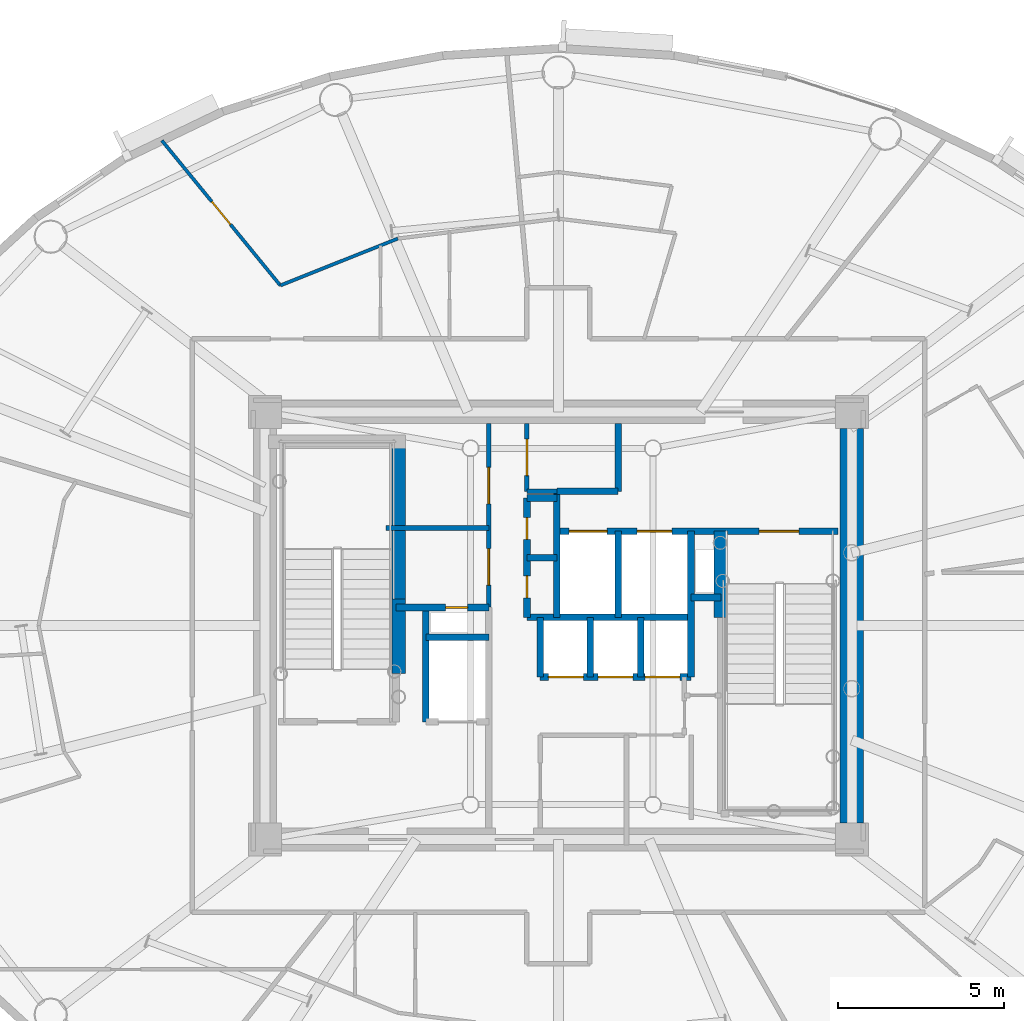
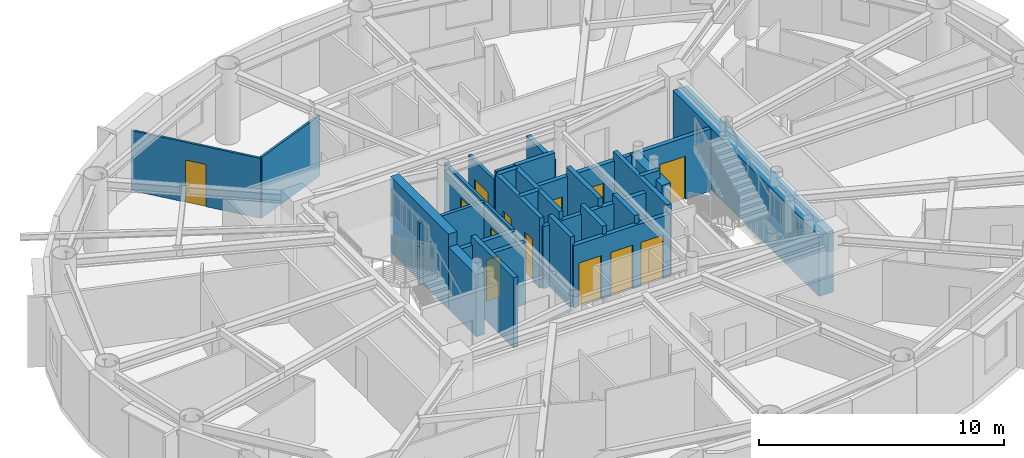
# One storey, part 9 of 18: 28 walls, 13 doors, 13 openings.
"""IFC4 building model written with IfcOpenShell, lengths in metres."""

from ifc_helpers import new_model, si_unit, direction, frame, frame_2d, origin, origin_2d, place, context, subcontext, project, spatial, rectangle, extrude, source, transform, mapped, material, layer, layer_set, type_object, element, fill, save


model = new_model("IFC4")

# Units and contexts
model_context = context("Model", 3, precision=1e-05, world=origin(), true_north=direction((0.0, 1.0)))
body_context = subcontext(model_context, "Body", "Model", "MODEL_VIEW")
ifc_project = project(units=[si_unit("LENGTHUNIT", "METRE"), si_unit("AREAUNIT", "SQUARE_METRE"), si_unit("VOLUMEUNIT", "CUBIC_METRE"), si_unit("PLANEANGLEUNIT", "RADIAN"), si_unit("MASSUNIT", "GRAM", prefix="KILO")], contexts=[model_context])

# Site, building, storey
site_placement = place(None, origin())
site = spatial("IfcSite", under=ifc_project, at=site_placement, CompositionType="ELEMENT")
building_placement = place(site_placement, origin())
building = spatial("IfcBuilding", under=site, at=building_placement, Name="Linh Dai School and Residence Tower", CompositionType="ELEMENT")
storey_placement = place(building_placement, frame((0.0, 0.0, 273.0)))
storey = spatial("IfcBuildingStorey", under=building, at=storey_placement, Name="L67", CompositionType="ELEMENT", Elevation=273.0)

# Wall, openings, doors
ifc_material_1 = material(Name="Autoclaved Aerated Concrete Blockwork", Category="masonry")
ifc_layer_1 = layer(ifc_material_1, 0.135009765625)
ifc_layer_set_1 = layer_set([ifc_layer_1], Name="Autoclaved Aerated Concrete Blockwork")
wall_type_1 = type_object("IfcWallType", Name="IW-CORR-135-EI90", PredefinedType="PARTITIONING", material=ifc_layer_set_1)
wall_1_placement = place(storey_placement, frame((33.89990234375, 27.56005859375, 0.0), z_axis=(0.0, 0.0, 1.0), x_axis=(0.0, 1.0, 0.0)))
wall_1 = element("IfcWall", 1, at=wall_1_placement, inside=storey, type_object=wall_type_1, Name="L67 Interior Partition Wall 032", PredefinedType="PARTITIONING", context=body_context, shape_type="SweptSolid", body=[
    extrude(rectangle(XDim=5.5400390625, YDim=0.135009765625, at=frame_2d((2.77001953125, 0.0))), origin(), (0.0, 0.0, 1.0), 3.0849609375),
])
opening_1_placement = place(wall_1_placement, frame((0.6650390625, 0.0, 0.0)))
opening_1 = element("IfcOpeningElement", 2, at=opening_1_placement, cuts=wall_1, Name="Opening D07", PredefinedType="OPENING", context=body_context, shape_type="SweptSolid", body=[
    extrude(rectangle(XDim=1.10009765625, YDim=2.14990234375, at=origin_2d()), frame((0.550048828125, 0.07763671875, 1.074951171875), z_axis=(0.0, -1.0, 0.0), x_axis=(1.0, 0.0, 0.0)), (0.0, 0.0, 1.0), 0.155029296875),
])
opening_2_placement = place(wall_1_placement, frame((3.117431640625, 0.0, 0.0)))
opening_2 = element("IfcOpeningElement", 3, at=opening_2_placement, cuts=wall_1, Name="Opening D07", PredefinedType="OPENING", context=body_context, shape_type="SweptSolid", body=[
    extrude(rectangle(XDim=1.10009765625, YDim=2.14990234375, at=origin_2d()), frame((0.550048828125, 0.07763671875, 1.074951171875), z_axis=(0.0, -1.0, 0.0), x_axis=(1.0, 0.0, 0.0)), (0.0, 0.0, 1.0), 0.155029296875),
])
ifc_material_2 = material(Name="Fire-Rated Louvred Steel Plant Door", Category="steel")
door_type_1 = type_object("IfcDoorType", Name="DR-PLT-1100x2150-FD60S", OperationType="NOTDEFINED", PredefinedType="DOOR", material=ifc_material_2)
shared_shape_1 = source(origin(), body_context, "Body", "SweptSolid", [
    extrude(rectangle(XDim=1.10009765625, YDim=2.14990234375, at=origin_2d()), frame((0.550048828125, 0.02490234375, 1.074951171875), z_axis=(0.0, -1.0, 0.0), x_axis=(1.0, 0.0, 0.0)), (0.0, 0.0, 1.0), 0.050048828125),
])
door_1_placement = place(opening_1_placement, origin())
door_1 = element("IfcDoor", 4, at=door_1_placement, inside=storey, type_object=door_type_1, Name="L67 BMS and Data Room Door", OperationType="SINGLE_SWING_LEFT", OverallHeight=2.14990234375, OverallWidth=1.10009765625, PredefinedType="DOOR", context=body_context, shape_type="MappedRepresentation", body=[
    mapped(shared_shape_1, transform((0.0, 0.0, 0.0), x_axis=(1.0, 0.0, 0.0), y_axis=(0.0, 1.0, 0.0), z_axis=(0.0, 0.0, 1.0), scale=1.0)),
])
fill(opening_1, door_1)
door_2_placement = place(opening_2_placement, origin())
door_2 = element("IfcDoor", 5, at=door_2_placement, inside=storey, type_object=door_type_1, Name="L67 Housekeeping Linen Room Door", OperationType="SINGLE_SWING_RIGHT", OverallHeight=2.14990234375, OverallWidth=1.10009765625, PredefinedType="DOOR", context=body_context, shape_type="MappedRepresentation", body=[
    mapped(shared_shape_1, transform((0.0, 0.0, 0.0), x_axis=(1.0, 0.0, 0.0), y_axis=(0.0, 1.0, 0.0), z_axis=(0.0, 0.0, 1.0), scale=1.0)),
])
fill(opening_2, door_2)

# Wall, opening, door
wall_2_placement = place(storey_placement, frame((35.050048828125, 31.050048828125, 0.0), z_axis=(0.0, 0.0, 1.0), x_axis=(0.0, 1.0, 0.0)))
wall_2 = element("IfcWall", 6, at=wall_2_placement, inside=storey, type_object=wall_type_1, Name="L67 Interior Partition Wall 042", PredefinedType="PARTITIONING", context=body_context, shape_type="SweptSolid", body=[
    extrude(rectangle(XDim=2.050048828125, YDim=0.135009765625, at=frame_2d((1.02490234375, 0.0))), origin(), (0.0, 0.0, 1.0), 3.0849609375),
])
opening_3_placement = place(wall_2_placement, frame((0.47509765625, 0.0, 0.0)))
opening_3 = element("IfcOpeningElement", 7, at=opening_3_placement, cuts=wall_2, Name="Opening D07", PredefinedType="OPENING", context=body_context, shape_type="SweptSolid", body=[
    extrude(rectangle(XDim=1.10009765625, YDim=2.14990234375, at=origin_2d()), frame((0.550048828125, 0.07763671875, 1.074951171875), z_axis=(0.0, -1.0, 0.0), x_axis=(1.0, 0.0, 0.0)), (0.0, 0.0, 1.0), 0.155029296875),
])
door_3_placement = place(opening_3_placement, origin())
door_3 = element("IfcDoor", 8, at=door_3_placement, inside=storey, type_object=door_type_1, Name="L67 North Telecom Switchroom Door", OperationType="SINGLE_SWING_LEFT", OverallHeight=2.14990234375, OverallWidth=1.10009765625, PredefinedType="DOOR", context=body_context, shape_type="MappedRepresentation", body=[
    mapped(shared_shape_1, transform((0.0, 0.0, 0.0), x_axis=(1.0, 0.0, 0.0), y_axis=(0.0, 1.0, 0.0), z_axis=(0.0, 0.0, 1.0), scale=1.0)),
])
fill(opening_3, door_3)

# Walls
wall_3_placement = place(storey_placement, frame((35.050048828125, 31.050048828125, 0.0), z_axis=(0.0, 0.0, 1.0), x_axis=(1.0, 0.0, 0.0)))
element("IfcWall", 9, at=wall_3_placement, inside=storey, type_object=wall_type_1, Name="L67 Interior Partition Wall 043", PredefinedType="PARTITIONING", context=body_context, shape_type="SweptSolid", body=[
    extrude(rectangle(XDim=0.89990234375, YDim=0.135009765625, at=frame_2d((0.449951171875, 0.0))), origin(), (0.0, 0.0, 1.0), 3.5),
])
ifc_layer_2 = layer(ifc_material_1, 0.14990234375)
ifc_layer_set_2 = layer_set([ifc_layer_2], Name="Autoclaved Aerated Concrete Blockwork")
wall_type_2 = type_object("IfcWallType", Name="IW-SCH-150-EI60", PredefinedType="PARTITIONING", material=ifc_layer_set_2)
wall_4_placement = place(storey_placement, frame((30.800048828125, 29.949951171875, 0.0), z_axis=(0.0, 0.0, 1.0), x_axis=(1.0, 0.0, 0.0)))
element("IfcWall", 10, at=wall_4_placement, inside=storey, type_object=wall_type_2, Name="L67 Interior Partition Wall 021", PredefinedType="PARTITIONING", context=body_context, shape_type="SweptSolid", body=[
    extrude(rectangle(XDim=3.099853515625, YDim=0.14990234375, at=frame_2d((1.5498046875, 0.0))), origin(), (0.0, 0.0, 1.0), 3.0849609375),
])

# Wall, opening, door
ifc_material_3 = material(Name="Concrete B45 (C35/45)", Category="concrete")
ifc_layer_3 = layer(ifc_material_3, 0.199951171875)
ifc_layer_set_3 = layer_set([ifc_layer_3], Name="Concrete B45 (C35/45)")
wall_type_3 = type_object("IfcWallType", Name="IW-SHAFT-200-EI120", PredefinedType="PARTITIONING", material=ifc_layer_set_3)
wall_5_placement = place(storey_placement, frame((31.10009765625, 27.550048828125, 0.0), z_axis=(0.0, 0.0, 1.0), x_axis=(1.0, 0.0, 0.0)))
wall_5 = element("IfcWall", 11, at=wall_5_placement, inside=storey, type_object=wall_type_3, Name="L67 Interior Partition Wall 023", PredefinedType="PARTITIONING", context=body_context, shape_type="SweptSolid", body=[
    extrude(rectangle(XDim=2.7998046875, YDim=0.199951171875, at=frame_2d((1.39990234375, 0.0))), origin(), (0.0, 0.0, 1.0), 3.0849609375),
])
opening_4_placement = place(wall_5_placement, frame((1.5, 0.0, 0.0)))
opening_4 = element("IfcOpeningElement", 12, at=opening_4_placement, cuts=wall_5, Name="Opening AD1", PredefinedType="OPENING", context=body_context, shape_type="SweptSolid", body=[
    extrude(rectangle(XDim=0.659912109375, YDim=2.050048828125, at=origin_2d()), frame((0.330078125, 0.10986328125, 1.02490234375), z_axis=(0.0, -1.0, 0.0), x_axis=(1.0, 0.0, 0.0)), (0.0, 0.0, 1.0), 0.219970703125),
])
ifc_material_4 = material(Name="Fire-Rated Steel Riser Access Door", Category="steel")
door_type_2 = type_object("IfcDoorType", Name="DR-ACC-660x2050-FD90S", OperationType="NOTDEFINED", PredefinedType="USERDEFINED", material=ifc_material_4)
shared_shape_2 = source(origin(), body_context, "Body", "SweptSolid", [
    extrude(rectangle(XDim=0.659912109375, YDim=2.050048828125, at=origin_2d()), frame((0.330078125, 0.02490234375, 1.02490234375), z_axis=(0.0, -1.0, 0.0), x_axis=(1.0, 0.0, 0.0)), (0.0, 0.0, 1.0), 0.050048828125),
])
door_4_placement = place(opening_4_placement, origin())
door_4 = element("IfcDoor", 13, at=door_4_placement, inside=storey, type_object=door_type_2, Name="L67 Main Electrical Riser Access Door", ObjectType="ACCESS DOOR", OperationType="SINGLE_SWING_RIGHT", OverallHeight=2.050048828125, OverallWidth=0.659912109375, PredefinedType="USERDEFINED", context=body_context, shape_type="MappedRepresentation", body=[
    mapped(shared_shape_2, transform((0.0, 0.0, 0.0), x_axis=(1.0, 0.0, 0.0), y_axis=(0.0, 1.0, 0.0), z_axis=(0.0, 0.0, 1.0), scale=1.0)),
])
fill(opening_4, door_4)

# Walls
wall_6_placement = place(storey_placement, frame((32.0, 24.10009765625, 0.0), z_axis=(0.0, 0.0, 1.0), x_axis=(0.0, 1.0, 0.0)))
element("IfcWall", 14, at=wall_6_placement, inside=storey, type_object=wall_type_3, Name="L67 Interior Partition Wall 027", PredefinedType="PARTITIONING", context=body_context, shape_type="SweptSolid", body=[
    extrude(rectangle(XDim=3.449951171875, YDim=0.199951171875, at=frame_2d((1.72509765625, 0.0))), origin(), (0.0, 0.0, 1.0), 3.5),
])
wall_7_placement = place(storey_placement, frame((32.0, 26.64990234375, 0.0), z_axis=(0.0, 0.0, 1.0), x_axis=(1.0, 0.0, 0.0)))
element("IfcWall", 15, at=wall_7_placement, inside=storey, type_object=wall_type_3, Name="L67 Interior Partition Wall 029", PredefinedType="PARTITIONING", context=body_context, shape_type="SweptSolid", body=[
    extrude(rectangle(XDim=1.89990234375, YDim=0.199951171875, at=frame_2d((0.949951171875, 0.0))), origin(), (0.0, 0.0, 1.0), 3.0849609375),
])

# Wall, openings, doors
wall_8_placement = place(storey_placement, frame((35.050048828125, 27.25, 0.0), z_axis=(0.0, 0.0, 1.0), x_axis=(0.0, 1.0, 0.0)))
wall_8 = element("IfcWall", 16, at=wall_8_placement, inside=storey, type_object=wall_type_3, Name="L67 Interior Partition Wall 038", PredefinedType="PARTITIONING", context=body_context, shape_type="SweptSolid", body=[
    extrude(rectangle(XDim=3.60009765625, YDim=0.199951171875, at=frame_2d((1.800048828125, 0.0))), origin(), (0.0, 0.0, 1.0), 3.5),
])
opening_5_placement = place(wall_8_placement, frame((0.590087890625, 0.0, 0.0)))
opening_5 = element("IfcOpeningElement", 17, at=opening_5_placement, cuts=wall_8, Name="Opening AD1", PredefinedType="OPENING", context=body_context, shape_type="SweptSolid", body=[
    extrude(rectangle(XDim=0.659912109375, YDim=2.050048828125, at=origin_2d()), frame((0.330078125, 0.10986328125, 1.02490234375), z_axis=(0.0, -1.0, 0.0), x_axis=(1.0, 0.0, 0.0)), (0.0, 0.0, 1.0), 0.219970703125),
])
opening_6_placement = place(wall_8_placement, frame((2.35009765625, 0.0, 0.0)))
opening_6 = element("IfcOpeningElement", 18, at=opening_6_placement, cuts=wall_8, Name="Opening AD1", PredefinedType="OPENING", context=body_context, shape_type="SweptSolid", body=[
    extrude(rectangle(XDim=0.659912109375, YDim=2.050048828125, at=origin_2d()), frame((0.330078125, 0.10986328125, 1.02490234375), z_axis=(0.0, -1.0, 0.0), x_axis=(1.0, 0.0, 0.0)), (0.0, 0.0, 1.0), 0.219970703125),
])
door_5_placement = place(opening_5_placement, origin())
door_5 = element("IfcDoor", 19, at=door_5_placement, inside=storey, type_object=door_type_2, Name="L67 Telecom and Data Riser Access Door", ObjectType="ACCESS DOOR", OperationType="SINGLE_SWING_LEFT", OverallHeight=2.050048828125, OverallWidth=0.659912109375, PredefinedType="USERDEFINED", context=body_context, shape_type="MappedRepresentation", body=[
    mapped(shared_shape_2, transform((0.0, 0.0, 0.0), x_axis=(1.0, 0.0, 0.0), y_axis=(0.0, 1.0, 0.0), z_axis=(0.0, 0.0, 1.0), scale=1.0)),
])
fill(opening_5, door_5)
door_6_placement = place(opening_6_placement, origin())
door_6 = element("IfcDoor", 20, at=door_6_placement, inside=storey, type_object=door_type_2, Name="L67 Mechanical and Plumbing Riser Access Door", ObjectType="ACCESS DOOR", OperationType="SINGLE_SWING_RIGHT", OverallHeight=2.050048828125, OverallWidth=0.659912109375, PredefinedType="USERDEFINED", context=body_context, shape_type="MappedRepresentation", body=[
    mapped(shared_shape_2, transform((0.0, 0.0, 0.0), x_axis=(1.0, 0.0, 0.0), y_axis=(0.0, 1.0, 0.0), z_axis=(0.0, 0.0, 1.0), scale=1.0)),
])
fill(opening_6, door_6)

# Walls
wall_9_placement = place(storey_placement, frame((35.050048828125, 27.25, 0.0), z_axis=(0.0, 0.0, 1.0), x_axis=(1.0, 0.0, 0.0)))
element("IfcWall", 21, at=wall_9_placement, inside=storey, type_object=wall_type_3, Name="L67 Interior Partition Wall 039", PredefinedType="PARTITIONING", context=body_context, shape_type="SweptSolid", body=[
    extrude(rectangle(XDim=4.949951171875, YDim=0.199951171875, at=frame_2d((2.47509765625, 0.0))), origin(), (0.0, 0.0, 1.0), 3.0849609375),
])
for number, where, z_axis, x_axis, name in (
    (22, (35.050048828125, 29.050048828125, 0.0), (0.0, 0.0, 1.0), (1.0, 0.0, 0.0), "L67 Interior Partition Wall 040"),
    (23, (35.050048828125, 30.85009765625, 0.0), (0.0, 0.0, 1.0), (1.0, 0.0, 0.0), "L67 Interior Partition Wall 041"),
):
    element("IfcWall", number, at=place(storey_placement, frame(where, z_axis=z_axis, x_axis=x_axis)), inside=storey, type_object=wall_type_3, Name=name, PredefinedType="PARTITIONING", context=body_context, shape_type="SweptSolid", body=[
        extrude(rectangle(XDim=0.89990234375, YDim=0.199951171875, at=frame_2d((0.449951171875, 0.0))), origin(), (0.0, 0.0, 1.0), 3.5),
    ])
wall_10_placement = place(storey_placement, frame((35.449951171875, 25.449951171875, 0.0), z_axis=(0.0, 0.0, 1.0), x_axis=(0.0, 1.0, 0.0)))
element("IfcWall", 24, at=wall_10_placement, inside=storey, type_object=wall_type_3, Name="L67 Interior Partition Wall 048", PredefinedType="PARTITIONING", context=body_context, shape_type="SweptSolid", body=[
    extrude(rectangle(XDim=1.800048828125, YDim=0.199951171875, at=frame_2d((0.89990234375, 0.0))), origin(), (0.0, 0.0, 1.0), 3.5),
])

# Wall, openings, doors
wall_11_placement = place(storey_placement, frame((35.449951171875, 25.449951171875, 0.0), z_axis=(0.0, 0.0, 1.0), x_axis=(1.0, 0.0, 0.0)))
wall_11 = element("IfcWall", 25, at=wall_11_placement, inside=storey, type_object=wall_type_3, Name="L67 Interior Partition Wall 049", PredefinedType="PARTITIONING", context=body_context, shape_type="SweptSolid", body=[
    extrude(rectangle(XDim=4.550048828125, YDim=0.199951171875, at=frame_2d((2.27490234375, 0.0))), origin(), (0.0, 0.0, 1.0), 3.0849609375),
])
opening_7_placement = place(wall_11_placement, frame((0.25, 0.0, 0.0)))
opening_7 = element("IfcOpeningElement", 26, at=opening_7_placement, cuts=wall_11, Name="Opening LD-PL7", PredefinedType="OPENING", context=body_context, shape_type="SweptSolid", body=[
    extrude(rectangle(XDim=1.050048828125, YDim=2.14990234375, at=origin_2d()), frame((0.52490234375, 0.10986328125, 1.074951171875), z_axis=(0.0, -1.0, 0.0), x_axis=(1.0, 0.0, 0.0)), (0.0, 0.0, 1.0), 0.219970703125),
])
opening_8_placement = place(wall_11_placement, frame((1.7451171875, 0.0, 0.0)))
opening_8 = element("IfcOpeningElement", 27, at=opening_8_placement, cuts=wall_11, Name="Opening LD-PL8", PredefinedType="OPENING", context=body_context, shape_type="SweptSolid", body=[
    extrude(rectangle(XDim=1.050048828125, YDim=2.14990234375, at=origin_2d()), frame((0.52490234375, 0.10986328125, 1.074951171875), z_axis=(0.0, -1.0, 0.0), x_axis=(1.0, 0.0, 0.0)), (0.0, 0.0, 1.0), 0.219970703125),
])
opening_9_placement = place(wall_11_placement, frame((3.1650390625, 0.0, 0.0)))
opening_9 = element("IfcOpeningElement", 28, at=opening_9_placement, cuts=wall_11, Name="Opening LD-PL9", PredefinedType="OPENING", context=body_context, shape_type="SweptSolid", body=[
    extrude(rectangle(XDim=1.050048828125, YDim=2.14990234375, at=origin_2d()), frame((0.52490234375, 0.10986328125, 1.074951171875), z_axis=(0.0, -1.0, 0.0), x_axis=(1.0, 0.0, 0.0)), (0.0, 0.0, 1.0), 0.219970703125),
])
ifc_material_5 = material(Name="Brushed Stainless Steel Lift Landing Door", Category="steel")
door_type_3 = type_object("IfcDoorType", Name="DR-LD-PASS-1050x2150", OperationType="DOUBLE_DOOR_SLIDING", PredefinedType="USERDEFINED", material=ifc_material_5)
shared_shape_3 = source(origin(), body_context, "Body", "SweptSolid", [
    extrude(rectangle(XDim=1.050048828125, YDim=2.14990234375, at=origin_2d()), frame((0.52490234375, 0.02490234375, 1.074951171875), z_axis=(0.0, -1.0, 0.0), x_axis=(1.0, 0.0, 0.0)), (0.0, 0.0, 1.0), 0.050048828125),
])
door_7_placement = place(opening_7_placement, origin())
door_7 = element("IfcDoor", 29, at=door_7_placement, inside=storey, type_object=door_type_3, Name="L67 Lift PL7 Sliding Landing Door", ObjectType="LANDING DOOR", OperationType="DOUBLE_DOOR_SLIDING", OverallHeight=2.14990234375, OverallWidth=1.050048828125, PredefinedType="USERDEFINED", context=body_context, shape_type="MappedRepresentation", body=[
    mapped(shared_shape_3, transform((0.0, 0.0, 0.0), x_axis=(1.0, 0.0, 0.0), y_axis=(0.0, 1.0, 0.0), z_axis=(0.0, 0.0, 1.0), scale=1.0)),
])
fill(opening_7, door_7)
door_8_placement = place(opening_8_placement, origin())
door_8 = element("IfcDoor", 30, at=door_8_placement, inside=storey, type_object=door_type_3, Name="L67 Lift PL8 Sliding Landing Door", ObjectType="LANDING DOOR", OperationType="DOUBLE_DOOR_SLIDING", OverallHeight=2.14990234375, OverallWidth=1.050048828125, PredefinedType="USERDEFINED", context=body_context, shape_type="MappedRepresentation", body=[
    mapped(shared_shape_3, transform((0.0, 0.0, 0.0), x_axis=(1.0, 0.0, 0.0), y_axis=(0.0, 1.0, 0.0), z_axis=(0.0, 0.0, 1.0), scale=1.0)),
])
fill(opening_8, door_8)
door_9_placement = place(opening_9_placement, origin())
door_9 = element("IfcDoor", 31, at=door_9_placement, inside=storey, type_object=door_type_3, Name="L67 Lift PL9 Sliding Landing Door", ObjectType="LANDING DOOR", OperationType="DOUBLE_DOOR_SLIDING", OverallHeight=2.14990234375, OverallWidth=1.050048828125, PredefinedType="USERDEFINED", context=body_context, shape_type="MappedRepresentation", body=[
    mapped(shared_shape_3, transform((0.0, 0.0, 0.0), x_axis=(1.0, 0.0, 0.0), y_axis=(0.0, 1.0, 0.0), z_axis=(0.0, 0.0, 1.0), scale=1.0)),
])
fill(opening_9, door_9)

# Wall
wall_12_placement = place(storey_placement, frame((35.949951171875, 27.25, 0.0), z_axis=(0.0, 0.0, 1.0), x_axis=(0.0, 1.0, 0.0)))
element("IfcWall", 32, at=wall_12_placement, inside=storey, type_object=wall_type_3, Name="L67 Interior Partition Wall 050", PredefinedType="PARTITIONING", context=body_context, shape_type="SweptSolid", body=[
    extrude(rectangle(XDim=3.800048828125, YDim=0.199951171875, at=frame_2d((1.89990234375, 0.0))), origin(), (0.0, 0.0, 1.0), 3.5),
])

# Wall, openings, doors
wall_13_placement = place(storey_placement, frame((35.949951171875, 29.85009765625, 0.0), z_axis=(0.0, 0.0, 1.0), x_axis=(1.0, 0.0, 0.0)))
wall_13 = element("IfcWall", 33, at=wall_13_placement, inside=storey, type_object=wall_type_3, Name="L67 Interior Partition Wall 051", PredefinedType="PARTITIONING", context=body_context, shape_type="SweptSolid", body=[
    extrude(rectangle(XDim=8.489990234375, YDim=0.199951171875, at=frame_2d((4.2451171875, 0.0))), origin(), (0.0, 0.0, 1.0), 3.0849609375),
])
opening_10_placement = place(wall_13_placement, frame((6.10009765625, 0.0, 0.0)))
opening_10 = element("IfcOpeningElement", 34, at=opening_10_placement, cuts=wall_13, Name="Opening D01", PredefinedType="OPENING", context=body_context, shape_type="SweptSolid", body=[
    extrude(rectangle(XDim=1.199951171875, YDim=2.14990234375, at=origin_2d()), frame((0.60009765625, 0.10986328125, 1.074951171875), z_axis=(0.0, -1.0, 0.0), x_axis=(1.0, 0.0, 0.0)), (0.0, 0.0, 1.0), 0.219970703125),
])
opening_11_placement = place(wall_13_placement, frame((0.3701171875, 0.0, 0.0)))
opening_11 = element("IfcOpeningElement", 35, at=opening_11_placement, cuts=wall_13, Name="Opening LD-FF1", PredefinedType="OPENING", context=body_context, shape_type="SweptSolid", body=[
    extrude(rectangle(XDim=1.14990234375, YDim=2.14990234375, at=origin_2d()), frame((0.574951171875, 0.10986328125, 1.074951171875), z_axis=(0.0, -1.0, 0.0), x_axis=(1.0, 0.0, 0.0)), (0.0, 0.0, 1.0), 0.219970703125),
])
opening_12_placement = place(wall_13_placement, frame((2.425048828125, 0.0, 0.0)))
opening_12 = element("IfcOpeningElement", 36, at=opening_12_placement, cuts=wall_13, Name="Opening LD-SV1", PredefinedType="OPENING", context=body_context, shape_type="SweptSolid", body=[
    extrude(rectangle(XDim=1.050048828125, YDim=2.14990234375, at=origin_2d()), frame((0.52490234375, 0.10986328125, 1.074951171875), z_axis=(0.0, -1.0, 0.0), x_axis=(1.0, 0.0, 0.0)), (0.0, 0.0, 1.0), 0.219970703125),
])
ifc_material_6 = material(Name="Fire-Rated Steel Door Leaf", Category="steel")
door_type_4 = type_object("IfcDoorType", Name="DR-STAIR-1200x2150-FD90S", OperationType="NOTDEFINED", PredefinedType="DOOR", material=ifc_material_6)
shared_shape_4 = source(origin(), body_context, "Body", "SweptSolid", [
    extrude(rectangle(XDim=1.199951171875, YDim=2.14990234375, at=origin_2d()), frame((0.60009765625, 0.02490234375, 1.074951171875), z_axis=(0.0, -1.0, 0.0), x_axis=(1.0, 0.0, 0.0)), (0.0, 0.0, 1.0), 0.050048828125),
])
door_10_placement = place(opening_10_placement, origin())
door_10 = element("IfcDoor", 37, at=door_10_placement, inside=storey, type_object=door_type_4, Name="L67 Core Smokeproof Exit Stair ST2 Door", OperationType="SINGLE_SWING_RIGHT", OverallHeight=2.14990234375, OverallWidth=1.199951171875, PredefinedType="DOOR", context=body_context, shape_type="MappedRepresentation", body=[
    mapped(shared_shape_4, transform((0.0, 0.0, 0.0), x_axis=(1.0, 0.0, 0.0), y_axis=(0.0, 1.0, 0.0), z_axis=(0.0, 0.0, 1.0), scale=1.0)),
])
fill(opening_10, door_10)
ifc_material_7 = material(Name="Fire-Rated Stainless Steel Firefighting Lift Door", Category="steel")
door_type_5 = type_object("IfcDoorType", Name="DR-LD-FF-1150x2150-FD120", OperationType="DOUBLE_DOOR_SLIDING", PredefinedType="USERDEFINED", material=ifc_material_7)
shared_shape_5 = source(origin(), body_context, "Body", "SweptSolid", [
    extrude(rectangle(XDim=1.14990234375, YDim=2.14990234375, at=origin_2d()), frame((0.574951171875, 0.02490234375, 1.074951171875), z_axis=(0.0, -1.0, 0.0), x_axis=(1.0, 0.0, 0.0)), (0.0, 0.0, 1.0), 0.050048828125),
])
door_11_placement = place(opening_11_placement, origin())
door_11 = element("IfcDoor", 38, at=door_11_placement, inside=storey, type_object=door_type_5, Name="L67 Lift FF1 Sliding Landing Door", ObjectType="LANDING DOOR", OperationType="DOUBLE_DOOR_SLIDING", OverallHeight=2.14990234375, OverallWidth=1.14990234375, PredefinedType="USERDEFINED", context=body_context, shape_type="MappedRepresentation", body=[
    mapped(shared_shape_5, transform((0.0, 0.0, 0.0), x_axis=(1.0, 0.0, 0.0), y_axis=(0.0, 1.0, 0.0), z_axis=(0.0, 0.0, 1.0), scale=1.0)),
])
fill(opening_11, door_11)
door_12_placement = place(opening_12_placement, origin())
door_12 = element("IfcDoor", 39, at=door_12_placement, inside=storey, type_object=door_type_3, Name="L67 Lift SV1 Sliding Landing Door", ObjectType="LANDING DOOR", OperationType="DOUBLE_DOOR_SLIDING", OverallHeight=2.14990234375, OverallWidth=1.050048828125, PredefinedType="USERDEFINED", context=body_context, shape_type="MappedRepresentation", body=[
    mapped(shared_shape_3, transform((0.0, 0.0, 0.0), x_axis=(1.0, 0.0, 0.0), y_axis=(0.0, 1.0, 0.0), z_axis=(0.0, 0.0, 1.0), scale=1.0)),
])
fill(opening_12, door_12)

# Walls
wall_14_placement = place(storey_placement, frame((35.9599609375, 31.050048828125, 0.0), z_axis=(0.0, 0.0, 1.0), x_axis=(1.0, 0.0, 0.0)))
element("IfcWall", 40, at=wall_14_placement, inside=storey, type_object=wall_type_3, Name="L67 Interior Partition Wall 052", PredefinedType="PARTITIONING", context=body_context, shape_type="SweptSolid", body=[
    extrude(rectangle(XDim=1.840087890625, YDim=0.199951171875, at=frame_2d((0.919921875, 0.0))), origin(), (0.0, 0.0, 1.0), 3.5),
])
wall_15_placement = place(storey_placement, frame((36.9599609375, 25.449951171875, 0.0), z_axis=(0.0, 0.0, 1.0), x_axis=(0.0, 1.0, 0.0)))
element("IfcWall", 41, at=wall_15_placement, inside=storey, type_object=wall_type_3, Name="L67 Interior Partition Wall 059", PredefinedType="PARTITIONING", context=body_context, shape_type="SweptSolid", body=[
    extrude(rectangle(XDim=1.800048828125, YDim=0.199951171875, at=frame_2d((0.89990234375, 0.0))), origin(), (0.0, 0.0, 1.0), 3.5),
])
wall_16_placement = place(storey_placement, frame((37.800048828125, 27.25, 0.0), z_axis=(0.0, 0.0, 1.0), x_axis=(0.0, 1.0, 0.0)))
element("IfcWall", 42, at=wall_16_placement, inside=storey, type_object=wall_type_3, Name="L67 Interior Partition Wall 060", PredefinedType="PARTITIONING", context=body_context, shape_type="SweptSolid", body=[
    extrude(rectangle(XDim=2.60009765625, YDim=0.199951171875, at=frame_2d((1.300048828125, 0.0))), origin(), (0.0, 0.0, 1.0), 3.5),
])
wall_17_placement = place(storey_placement, frame((37.800048828125, 31.050048828125, 0.0), z_axis=(0.0, 0.0, 1.0), x_axis=(0.0, 1.0, 0.0)))
element("IfcWall", 43, at=wall_17_placement, inside=storey, type_object=wall_type_3, Name="L67 Interior Partition Wall 061", PredefinedType="PARTITIONING", context=body_context, shape_type="SweptSolid", body=[
    extrude(rectangle(XDim=2.050048828125, YDim=0.199951171875, at=frame_2d((1.02490234375, 0.0))), origin(), (0.0, 0.0, 1.0), 3.0849609375),
])
wall_18_placement = place(storey_placement, frame((38.47998046875, 25.449951171875, 0.0), z_axis=(0.0, 0.0, 1.0), x_axis=(0.0, 1.0, 0.0)))
element("IfcWall", 44, at=wall_18_placement, inside=storey, type_object=wall_type_3, Name="L67 Interior Partition Wall 063", PredefinedType="PARTITIONING", context=body_context, shape_type="SweptSolid", body=[
    extrude(rectangle(XDim=1.800048828125, YDim=0.199951171875, at=frame_2d((0.89990234375, 0.0))), origin(), (0.0, 0.0, 1.0), 3.5),
])
wall_19_placement = place(storey_placement, frame((40.0, 25.449951171875, 0.0), z_axis=(0.0, 0.0, 1.0), x_axis=(0.0, 1.0, 0.0)))
element("IfcWall", 45, at=wall_19_placement, inside=storey, type_object=wall_type_3, Name="L67 Interior Partition Wall 069", PredefinedType="PARTITIONING", context=body_context, shape_type="SweptSolid", body=[
    extrude(rectangle(XDim=4.400146484375, YDim=0.199951171875, at=frame_2d((2.2001953125, 0.0))), origin(), (0.0, 0.0, 1.0), 3.5),
])
wall_20_placement = place(storey_placement, frame((40.0, 27.85009765625, 0.0), z_axis=(0.0, 0.0, 1.0), x_axis=(1.0, 0.0, 0.0)))
element("IfcWall", 46, at=wall_20_placement, inside=storey, type_object=wall_type_3, Name="L67 Interior Partition Wall 070", PredefinedType="PARTITIONING", context=body_context, shape_type="SweptSolid", body=[
    extrude(rectangle(XDim=0.89990234375, YDim=0.199951171875, at=frame_2d((0.449951171875, 0.0))), origin(), (0.0, 0.0, 1.0), 3.5),
])

# Wall, opening, door
ifc_material_8 = material(Name="Gypsum Plasterboard Acoustic Stud Partition", Category="masonry")
ifc_layer_4 = layer(ifc_material_8, 0.10009765625)
ifc_layer_set_4 = layer_set([ifc_layer_4], Name="Gypsum Plasterboard Acoustic Stud Partition")
wall_type_4 = type_object("IfcWallType", Name="IW-UNIT-100", PredefinedType="PARTITIONING", material=ifc_layer_set_4)
wall_21_placement = place(storey_placement, frame((24.037109375, 41.635009765625, 0.0), z_axis=(0.0, 0.0, 1.0), x_axis=(0.632896331295, -0.774236549017, 0.0)))
wall_21 = element("IfcWall", 47, at=wall_21_placement, inside=storey, type_object=wall_type_4, Name="L67 Interior Partition Wall 011", PredefinedType="PARTITIONING", context=body_context, shape_type="SweptSolid", body=[
    extrude(rectangle(XDim=5.646728515625, YDim=0.10009765625, at=frame_2d((2.8232421875, 0.0))), origin(), (0.0, 0.0, 1.0), 2.985107421875),
])
opening_13_placement = place(wall_21_placement, frame((2.373291015625, 0.0, 0.0)))
opening_13 = element("IfcOpeningElement", 48, at=opening_13_placement, cuts=wall_21, Name="Opening D05", PredefinedType="OPENING", context=body_context, shape_type="SweptSolid", body=[
    extrude(rectangle(XDim=0.89990234375, YDim=2.10009765625, at=origin_2d()), frame((0.449951171875, 0.06005859375, 1.050048828125), z_axis=(0.0, -1.0, 0.0), x_axis=(1.0, 0.0, 0.0)), (0.0, 0.0, 1.0), 0.1201171875),
])
ifc_material_9 = material(Name="Engineered Timber Internal Door", Category="wood")
door_type_6 = type_object("IfcDoorType", Name="DR-INT-900x2100", OperationType="NOTDEFINED", PredefinedType="DOOR", material=ifc_material_9)
shared_shape_6 = source(origin(), body_context, "Body", "SweptSolid", [
    extrude(rectangle(XDim=0.89990234375, YDim=2.10009765625, at=origin_2d()), frame((0.449951171875, 0.02490234375, 1.050048828125), z_axis=(0.0, -1.0, 0.0), x_axis=(1.0, 0.0, 0.0)), (0.0, 0.0, 1.0), 0.050048828125),
])
door_13_placement = place(opening_13_placement, origin())
door_13 = element("IfcDoor", 49, at=door_13_placement, inside=storey, type_object=door_type_6, Name="L67 Apartment U6703 Principal Bedroom 1 Door", OperationType="SINGLE_SWING_RIGHT", OverallHeight=2.10009765625, OverallWidth=0.89990234375, PredefinedType="DOOR", context=body_context, shape_type="MappedRepresentation", body=[
    mapped(shared_shape_6, transform((0.0, 0.0, 0.0), x_axis=(1.0, 0.0, 0.0), y_axis=(0.0, 1.0, 0.0), z_axis=(0.0, 0.0, 1.0), scale=1.0)),
])
fill(opening_13, door_13)

# Walls
wall_22_placement = place(storey_placement, frame((27.61083984375, 37.26318359375, 0.0), z_axis=(0.0, 0.0, 1.0), x_axis=(0.92879851462, 0.370585103911, 0.0)))
element("IfcWall", 50, at=wall_22_placement, inside=storey, type_object=wall_type_4, Name="L67 Interior Partition Wall 017", PredefinedType="PARTITIONING", context=body_context, shape_type="SweptSolid", body=[
    extrude(rectangle(XDim=3.815185546875, YDim=0.10009765625, at=frame_2d((1.90771484375, 0.0))), origin(), (0.0, 0.0, 1.0), 3.034912109375),
])
ifc_layer_5 = layer(ifc_material_3, 0.39990234375)
ifc_layer_set_5 = layer_set([ifc_layer_5], Name="Concrete B45 (C35/45)")
wall_type_5 = type_object("IfcWallType", Name="WL-CORE400", PredefinedType="SHEAR", material=ifc_layer_set_5)
wall_23_placement = place(storey_placement, frame((31.179931640625, 27.800048828125, 0.0), z_axis=(0.0, 0.0, 1.0), x_axis=(0.0, 1.0, 0.0)))
element("IfcWall", 51, at=wall_23_placement, inside=storey, type_object=wall_type_5, Name="L67 Core Stair ST1 Bearing Wall E", PredefinedType="SHEAR", context=body_context, shape_type="SweptSolid", body=[
    extrude(rectangle(XDim=4.75, YDim=0.39990234375, at=frame_2d((2.375, 0.0))), origin(), (0.0, 0.0, 1.0), 3.75),
])
wall_24_placement = place(storey_placement, frame((31.179931640625, 25.550048828125, 0.0), z_axis=(0.0, 0.0, 1.0), x_axis=(0.0, 1.0, 0.0)))
element("IfcWall", 52, at=wall_24_placement, inside=storey, type_object=wall_type_5, Name="L67 Internal Core Shear Wall IW", PredefinedType="SHEAR", context=body_context, shape_type="SweptSolid", body=[
    extrude(rectangle(XDim=2.25, YDim=0.39990234375, at=frame_2d((1.125, 0.0))), origin(), (0.0, 0.0, 1.0), 3.10009765625),
])
wall_25_placement = place(storey_placement, frame((40.89990234375, 27.25, 0.0), z_axis=(0.0, 0.0, 1.0), x_axis=(0.0, 1.0, 0.0)))
element("IfcWall", 53, at=wall_25_placement, inside=storey, type_object=wall_type_5, Name="L67 Internal Core Shear Wall IE", PredefinedType="SHEAR", context=body_context, shape_type="SweptSolid", body=[
    extrude(rectangle(XDim=2.60009765625, YDim=0.39990234375, at=frame_2d((1.300048828125, 0.0))), origin(), (0.0, 0.0, 1.0), 3.10009765625),
])
ifc_layer_6 = layer(ifc_material_3, 0.699951171875)
ifc_layer_set_6 = layer_set([ifc_layer_6], Name="Concrete B45 (C35/45)")
wall_type_6 = type_object("IfcWallType", Name="WL-CORE700", PredefinedType="SHEAR", material=ifc_layer_set_6)
wall_26_placement = place(storey_placement, frame((44.85009765625, 32.949951171875, 0.0), z_axis=(0.0, 0.0, 1.0), x_axis=(0.0, -1.0, 0.0)))
element("IfcWall", 54, at=wall_26_placement, inside=storey, type_object=wall_type_6, Name="L67 Central Core Shear Wall E", PredefinedType="SHEAR", context=body_context, shape_type="SweptSolid", body=[
    extrude(rectangle(XDim=11.89990234375, YDim=0.699951171875, at=frame_2d((5.949951171875, 0.0))), origin(), (0.0, 0.0, 1.0), 3.050048828125),
])

save(model, "model.ifc")
